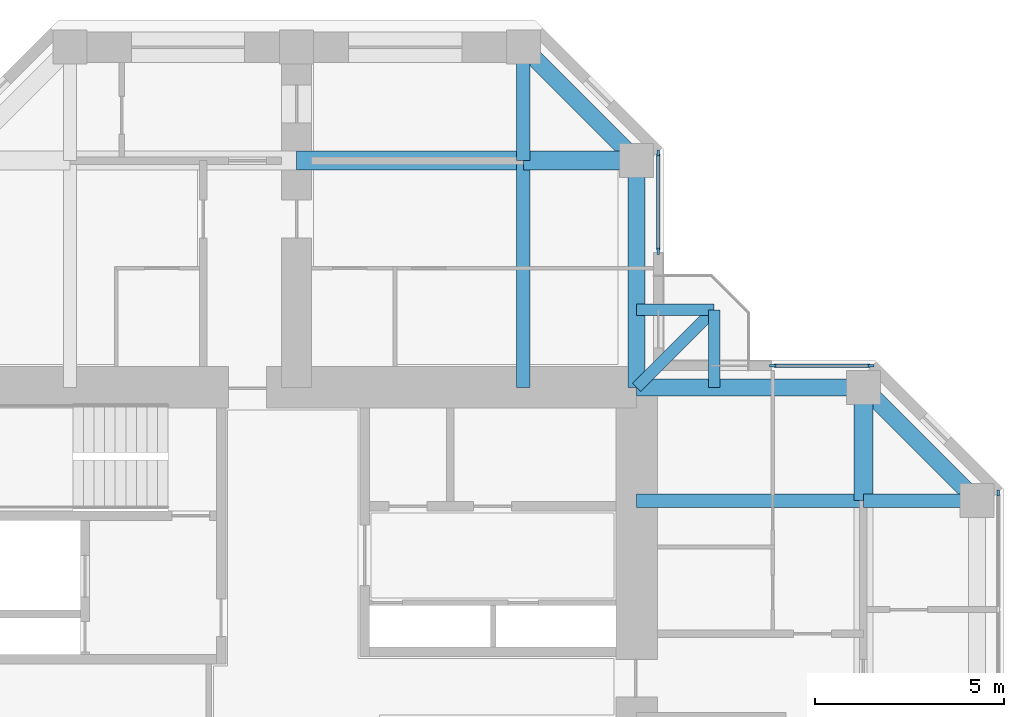
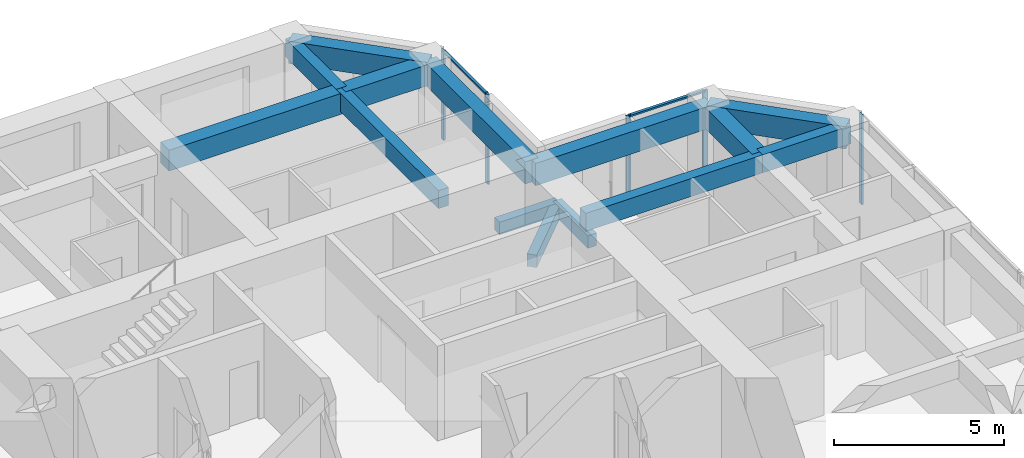
# One storey, part 6 of 14: 14 beams, 7 members, 3 elements without a shape of their own.
"""IFC4 building model written with IfcOpenShell, lengths in metres."""

from ifc_helpers import new_model, si_unit, direction, frame, origin, origin_2d, place, context, subcontext, project, spatial, rectangle, extrude, material, material_profile, profile_set, type_object, element, aggregate, save


model = new_model("IFC4")

# Units and contexts
model_context = context("Model", 3, precision=1e-05, world=origin(), true_north=direction((0.0, 1.0)))
body_context = subcontext(model_context, "Body", "Model", "MODEL_VIEW")
ifc_project = project(units=[si_unit("LENGTHUNIT", "METRE"), si_unit("AREAUNIT", "SQUARE_METRE"), si_unit("VOLUMEUNIT", "CUBIC_METRE"), si_unit("PLANEANGLEUNIT", "RADIAN"), si_unit("MASSUNIT", "GRAM", prefix="KILO")], contexts=[model_context])

# Site, building, storey
site_placement = place(None, origin())
site = spatial("IfcSite", under=ifc_project, at=site_placement, CompositionType="ELEMENT")
building_placement = place(site_placement, origin())
building = spatial("IfcBuilding", under=site, at=building_placement, Name="Torre Cruceta", CompositionType="ELEMENT")
storey_placement = place(building_placement, frame((0.0, 0.0, 203.5)))
storey = spatial("IfcBuildingStorey", under=building, at=storey_placement, Name="L51", CompositionType="ELEMENT", Elevation=203.5)

# Beams
ifc_material_1 = material(Name="Concrete G60 (fck 60 MPa)", Category="concrete")
ifc_material_profile_1 = material_profile(ifc_material_1, rectangle(XDim=0.300048828125, YDim=0.449951171875, at=origin_2d()), Name="RC 300X450")
ifc_profile_set_1 = profile_set([ifc_material_profile_1], Name="Concrete G60 (fck 60 MPa)")
beam_type_1 = type_object("IfcBeamType", Name="BALCONY CANTILEVER BEAM RC 300X450", PredefinedType="BEAM", material=ifc_profile_set_1)
beam_1_placement = place(storey_placement, frame((9.0, 9.0, -0.405029296875), z_axis=(0.707106781187, 0.707106781187, 0.0), x_axis=(-0.707106781187, 0.707106781187, 0.0)))
element("IfcBeam", 1, at=beam_1_placement, inside=storey, type_object=beam_type_1, Name="BB1 balcony beam L51 E", PredefinedType="BEAM", context=body_context, shape_type="SweptSolid", body=[
    extrude(rectangle(XDim=0.300048828125, YDim=0.449951171875, at=origin_2d()), origin(), (0.0, 0.0, 1.0), 2.89990234375),
])
for number, where, z_axis, x_axis, name in (
    (2, (11.050537109375, 9.0, -0.405029296875), (0.0, 1.0, 0.0), (-1.0, 0.0, 0.0), "BB1 balcony edge beam L51 E-X"),
    (3, (9.0, 11.050537109375, -0.405029296875), (1.0, 0.0, 0.0), (0.0, 1.0, 0.0), "BB1 balcony edge beam L51 E-Y"),
):
    element("IfcBeam", number, at=place(storey_placement, frame(where, z_axis=z_axis, x_axis=x_axis)), inside=storey, type_object=beam_type_1, Name=name, PredefinedType="BEAM", context=body_context, shape_type="SweptSolid", body=[
        extrude(rectangle(XDim=0.300048828125, YDim=0.449951171875, at=origin_2d()), origin(), (0.0, 0.0, 1.0), 2.050537109375),
    ])
ifc_material_2 = material(Name="Concrete G60 (fck 60 MPa)", Category="concrete")
ifc_material_profile_2 = material_profile(ifc_material_2, rectangle(XDim=0.35009765625, YDim=0.64990234375, at=origin_2d()), Name="RC 350X650")
ifc_profile_set_2 = profile_set([ifc_material_profile_2], Name="Concrete G60 (fck 60 MPa)")
beam_type_2 = type_object("IfcBeamType", Name="COLUMN LINE BEAM RC 350X650", PredefinedType="BEAM", material=ifc_profile_set_2)
beam_2_placement = place(storey_placement, frame((6.0, 9.0, 2.89501953125), z_axis=(0.0, 1.0, 0.0), x_axis=(-1.0, 0.0, 0.0)))
element("IfcBeam", 4, at=beam_2_placement, inside=storey, type_object=beam_type_2, Name="LB7 L51 N col- 1", PredefinedType="BEAM", context=body_context, shape_type="SweptSolid", body=[
    extrude(rectangle(XDim=0.35009765625, YDim=0.64990234375, at=origin_2d()), origin(), (0.0, 0.0, 1.0), 6.0),
])
beam_3_placement = place(storey_placement, frame((6.0, 15.0, 2.89501953125), z_axis=(0.0, 1.0, 0.0), x_axis=(-1.0, 0.0, 0.0)))
element("IfcBeam", 5, at=beam_3_placement, inside=storey, type_object=beam_type_2, Name="LB7 L51 N col- 2", PredefinedType="BEAM", context=body_context, shape_type="SweptSolid", body=[
    extrude(rectangle(XDim=0.35009765625, YDim=0.64990234375, at=origin_2d()), origin(), (0.0, 0.0, 1.0), 3.0),
])
beam_4_placement = place(storey_placement, frame((9.0, 6.0, 2.89501953125), z_axis=(1.0, 0.0, 0.0), x_axis=(0.0, 1.0, 0.0)))
element("IfcBeam", 6, at=beam_4_placement, inside=storey, type_object=beam_type_2, Name="LB7 L51 E col+ 1", PredefinedType="BEAM", context=body_context, shape_type="SweptSolid", body=[
    extrude(rectangle(XDim=0.35009765625, YDim=0.64990234375, at=origin_2d()), origin(), (0.0, 0.0, 1.0), 6.0),
])
beam_5_placement = place(storey_placement, frame((15.0, 6.0, 2.89501953125), z_axis=(1.0, 0.0, 0.0), x_axis=(0.0, 1.0, 0.0)))
element("IfcBeam", 7, at=beam_5_placement, inside=storey, type_object=beam_type_2, Name="LB7 L51 E col+ 2", PredefinedType="BEAM", context=body_context, shape_type="SweptSolid", body=[
    extrude(rectangle(XDim=0.35009765625, YDim=0.64990234375, at=origin_2d()), origin(), (0.0, 0.0, 1.0), 3.0),
])
ifc_material_3 = material(Name="Concrete G60 (fck 60 MPa)", Category="concrete")
ifc_material_profile_3 = material_profile(ifc_material_3, rectangle(XDim=0.5, YDim=0.75, at=origin_2d()), Name="RC 500X750")
ifc_profile_set_3 = profile_set([ifc_material_profile_3], Name="Concrete G60 (fck 60 MPa)")
beam_type_3 = type_object("IfcBeamType", Name="CROSS BEAM RC 500X750", PredefinedType="BEAM", material=ifc_profile_set_3)
beam_6_placement = place(storey_placement, frame((9.0, 15.0, 2.844970703125), z_axis=(-1.0, 0.0, 0.0), x_axis=(0.0, -1.0, 0.0)))
element("IfcBeam", 8, at=beam_6_placement, inside=storey, type_object=beam_type_3, Name="GB6 L51 N cross15 1", PredefinedType="BEAM", context=body_context, shape_type="SweptSolid", body=[
    extrude(rectangle(XDim=0.5, YDim=0.75, at=origin_2d()), origin(), (0.0, 0.0, 1.0), 3.0),
])
beam_7_placement = place(storey_placement, frame((6.0, 15.0, 2.844970703125), z_axis=(-1.0, 0.0, 0.0), x_axis=(0.0, -1.0, 0.0)))
element("IfcBeam", 9, at=beam_7_placement, inside=storey, type_object=beam_type_3, Name="GB6 L51 N cross15 2", PredefinedType="BEAM", context=body_context, shape_type="SweptSolid", body=[
    extrude(rectangle(XDim=0.5, YDim=0.75, at=origin_2d()), origin(), (0.0, 0.0, 1.0), 6.0),
])
beam_8_placement = place(storey_placement, frame((15.0, 6.0, 2.844970703125), z_axis=(0.0, 1.0, 0.0), x_axis=(-1.0, 0.0, 0.0)))
element("IfcBeam", 10, at=beam_8_placement, inside=storey, type_object=beam_type_3, Name="GB6 L51 E cross15 4", PredefinedType="BEAM", context=body_context, shape_type="SweptSolid", body=[
    extrude(rectangle(XDim=0.5, YDim=0.75, at=origin_2d()), origin(), (0.0, 0.0, 1.0), 3.0),
])

# Curtain wall, member
ifc_material_4 = material(Name="Aluminium unitised curtain wall", Category="aluminium")
curtain_wall_type = type_object("IfcCurtainWallType", Name="CURTAIN WALL CW-C CO-LIVING", PredefinedType="USERDEFINED", material=ifc_material_4)
curtain_wall_1_placement = place(storey_placement, origin())
curtain_wall_1 = element("IfcCurtainWall", 11, at=curtain_wall_1_placement, inside=storey, type_object=curtain_wall_type, Name="CW-C L51 E tip 02", ObjectType="UNITISED", PredefinedType="USERDEFINED")
ifc_material_5 = material(Name="Aluminium mullion", Category="aluminium")
ifc_material_profile_4 = material_profile(ifc_material_5, rectangle(XDim=0.06005859375, YDim=0.159912109375, at=origin_2d()), Name="AL 60X160")
ifc_profile_set_4 = profile_set([ifc_material_profile_4], Name="Aluminium mullion")
member_type_1 = type_object("IfcMemberType", Name="CW-C MULLION 60X160", PredefinedType="MULLION", material=ifc_profile_set_4)
member_1_placement = place(storey_placement, frame((18.570068359375, 6.2060546875, 0.0), z_axis=(0.0, 0.0, 1.0), x_axis=(-1.0, 0.0, 0.0)))
member_1 = element("IfcMember", 12, at=member_1_placement, type_object=member_type_1, Name="CW-C mullion 5", PredefinedType="MULLION", context=body_context, shape_type="SweptSolid", body=[
    extrude(rectangle(XDim=0.06005859375, YDim=0.159912109375, at=origin_2d()), origin(), (0.0, 0.0, 1.0), 3.219970703125),
])
aggregate(curtain_wall_1, [member_1])

# Curtain wall, members
curtain_wall_2_placement = place(storey_placement, origin())
curtain_wall_2 = element("IfcCurtainWall", 13, at=curtain_wall_2_placement, inside=storey, type_object=curtain_wall_type, Name="CW-C L51 E side 04", ObjectType="UNITISED", PredefinedType="USERDEFINED")
member_2_placement = place(storey_placement, frame((15.2060546875, 9.570068359375, 0.0), z_axis=(0.0, 0.0, 1.0), x_axis=(0.0, -1.0, 0.0)))
member_2 = element("IfcMember", 14, at=member_2_placement, type_object=member_type_1, Name="CW-C mullion 1", PredefinedType="MULLION", context=body_context, shape_type="SweptSolid", body=[
    extrude(rectangle(XDim=0.06005859375, YDim=0.159912109375, at=origin_2d()), origin(), (0.0, 0.0, 1.0), 3.219970703125),
])
member_3_placement = place(storey_placement, frame((12.60009765625, 9.570068359375, 0.0), z_axis=(0.0, 0.0, 1.0), x_axis=(0.0, -1.0, 0.0)))
member_3 = element("IfcMember", 15, at=member_3_placement, type_object=member_type_1, Name="CW-C mullion 2", PredefinedType="MULLION", context=body_context, shape_type="SweptSolid", body=[
    extrude(rectangle(XDim=0.06005859375, YDim=0.159912109375, at=origin_2d()), origin(), (0.0, 0.0, 1.0), 3.219970703125),
])

curtain_wall_3_placement = place(storey_placement, origin())
curtain_wall_3 = element("IfcCurtainWall", 16, at=curtain_wall_3_placement, inside=storey, type_object=curtain_wall_type, Name="CW-C L51 N side 05", ObjectType="UNITISED", PredefinedType="USERDEFINED")
member_4_placement = place(storey_placement, frame((9.570068359375, 12.60009765625, 0.0), z_axis=(0.0, 0.0, 1.0), x_axis=(-1.0, 0.0, 0.0)))
member_4 = element("IfcMember", 17, at=member_4_placement, type_object=member_type_1, Name="CW-C mullion 1", PredefinedType="MULLION", context=body_context, shape_type="SweptSolid", body=[
    extrude(rectangle(XDim=0.06005859375, YDim=0.159912109375, at=origin_2d()), origin(), (0.0, 0.0, 1.0), 3.219970703125),
])
member_5_placement = place(storey_placement, frame((9.570068359375, 15.2060546875, 0.0), z_axis=(0.0, 0.0, 1.0), x_axis=(-1.0, 0.0, 0.0)))
member_5 = element("IfcMember", 18, at=member_5_placement, type_object=member_type_1, Name="CW-C mullion 2", PredefinedType="MULLION", context=body_context, shape_type="SweptSolid", body=[
    extrude(rectangle(XDim=0.06005859375, YDim=0.159912109375, at=origin_2d()), origin(), (0.0, 0.0, 1.0), 3.219970703125),
])

# Member
ifc_material_6 = material(Name="Aluminium transom", Category="aluminium")
ifc_material_profile_5 = material_profile(ifc_material_6, rectangle(XDim=0.10009765625, YDim=0.06005859375, at=origin_2d()), Name="AL 100X60")
ifc_profile_set_5 = profile_set([ifc_material_profile_5], Name="Aluminium transom")
member_type_2 = type_object("IfcMemberType", Name="CW-C TRANSOM 60X100", PredefinedType="USERDEFINED", material=ifc_profile_set_5)
member_6_placement = place(storey_placement, frame((15.176025390625, 9.570068359375, 3.18994140625), z_axis=(-1.0, 0.0, 0.0), x_axis=(0.0, -1.0, 0.0)))
member_6 = element("IfcMember", 19, at=member_6_placement, type_object=member_type_2, Name="CW-C transom 1", ObjectType="TRANSOM", PredefinedType="USERDEFINED", context=body_context, shape_type="SweptSolid", body=[
    extrude(rectangle(XDim=0.10009765625, YDim=0.06005859375, at=origin_2d()), origin(), (0.0, 0.0, 1.0), 2.546142578125),
])

aggregate(curtain_wall_2, [member_2, member_3, member_6])

member_7_placement = place(storey_placement, frame((9.570068359375, 12.6298828125, 3.18994140625), z_axis=(0.0, 1.0, 0.0), x_axis=(-1.0, 0.0, 0.0)))
member_7 = element("IfcMember", 20, at=member_7_placement, type_object=member_type_2, Name="CW-C transom 1", ObjectType="TRANSOM", PredefinedType="USERDEFINED", context=body_context, shape_type="SweptSolid", body=[
    extrude(rectangle(XDim=0.10009765625, YDim=0.06005859375, at=origin_2d()), origin(), (0.0, 0.0, 1.0), 2.546142578125),
])

aggregate(curtain_wall_3, [member_4, member_5, member_7])

# Beams
ifc_material_7 = material(Name="Concrete G60 (fck 60 MPa)", Category="concrete")
ifc_material_profile_6 = material_profile(ifc_material_7, rectangle(XDim=0.449951171875, YDim=0.800048828125, at=origin_2d()), Name="RC 450X800")
ifc_profile_set_6 = profile_set([ifc_material_profile_6], Name="Concrete G60 (fck 60 MPa)")
beam_type_4 = type_object("IfcBeamType", Name="SPANDREL BEAM RC 450X800", PredefinedType="SPANDREL", material=ifc_profile_set_6)
beam_9_placement = place(storey_placement, frame((9.0, 9.0, 2.820068359375), z_axis=(0.0, 1.0, 0.0), x_axis=(-1.0, 0.0, 0.0)))
element("IfcBeam", 21, at=beam_9_placement, inside=storey, type_object=beam_type_4, Name="SB6 L51 N side- 1", PredefinedType="SPANDREL", context=body_context, shape_type="SweptSolid", body=[
    extrude(rectangle(XDim=0.449951171875, YDim=0.800048828125, at=origin_2d()), origin(), (0.0, 0.0, 1.0), 6.0),
])
beam_10_placement = place(storey_placement, frame((9.0, 15.0, 2.820068359375), z_axis=(-0.707106781187, 0.707106781187, 0.0), x_axis=(-0.707106781187, -0.707106781187, 0.0)))
element("IfcBeam", 22, at=beam_10_placement, inside=storey, type_object=beam_type_4, Name="SB6 L51 N side- 2", PredefinedType="SPANDREL", context=body_context, shape_type="SweptSolid", body=[
    extrude(rectangle(XDim=0.449951171875, YDim=0.800048828125, at=origin_2d()), origin(), (0.0, 0.0, 1.0), 4.24267578125),
])
beam_11_placement = place(storey_placement, frame((9.0, 9.0, 2.820068359375), z_axis=(1.0, 0.0, 0.0), x_axis=(0.0, 1.0, 0.0)))
element("IfcBeam", 23, at=beam_11_placement, inside=storey, type_object=beam_type_4, Name="SB6 L51 E side+ 1", PredefinedType="SPANDREL", context=body_context, shape_type="SweptSolid", body=[
    extrude(rectangle(XDim=0.449951171875, YDim=0.800048828125, at=origin_2d()), origin(), (0.0, 0.0, 1.0), 6.0),
])
beam_12_placement = place(storey_placement, frame((15.0, 9.0, 2.820068359375), z_axis=(0.707106781187, -0.707106781187, 0.0), x_axis=(0.707106781187, 0.707106781187, 0.0)))
element("IfcBeam", 24, at=beam_12_placement, inside=storey, type_object=beam_type_4, Name="SB6 L51 E side+ 2", PredefinedType="SPANDREL", context=body_context, shape_type="SweptSolid", body=[
    extrude(rectangle(XDim=0.449951171875, YDim=0.800048828125, at=origin_2d()), origin(), (0.0, 0.0, 1.0), 4.24267578125),
])

save(model, "model.ifc")
